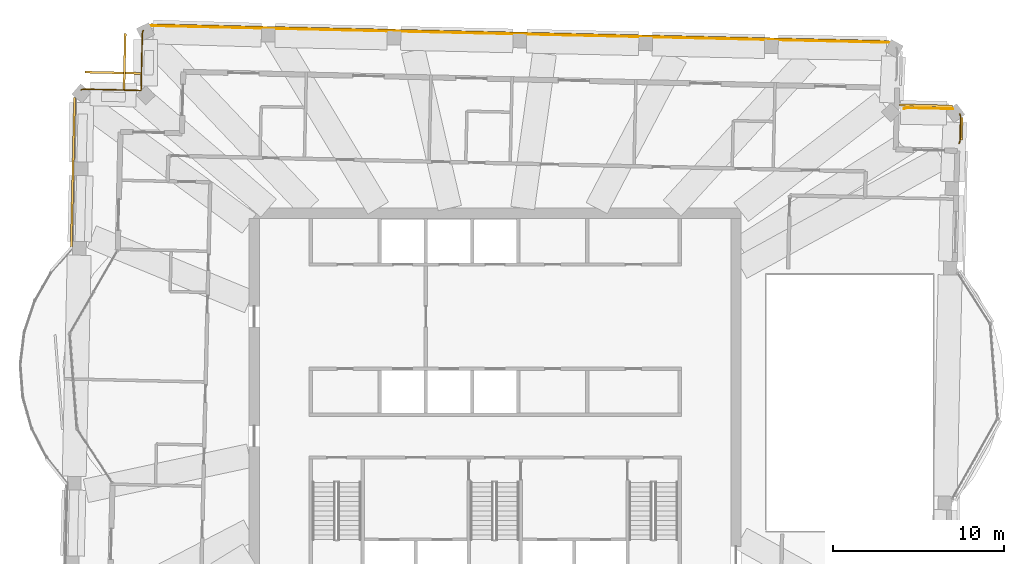
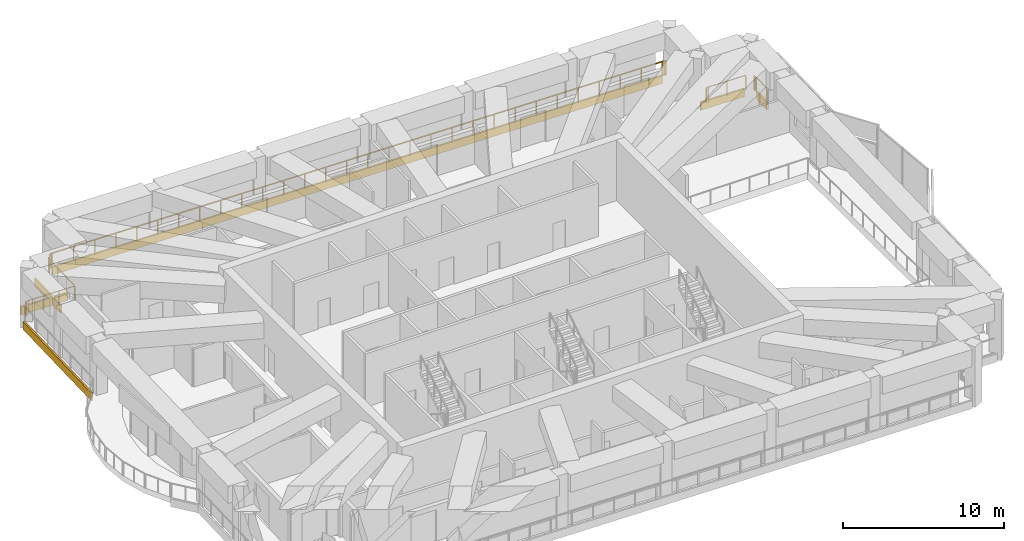
# One storey, part 18 of 19: 6 coverings, 4 railings.
"""IFC4 building model written with IfcOpenShell, lengths in metres."""

from ifc_helpers import new_model, si_unit, direction, frame, frame_2d, origin, origin_2d, place, context, subcontext, project, spatial, rectangle, extrude, material, layer, layer_set, type_object, element, save


model = new_model("IFC4")

# Units and contexts
model_context = context("Model", 3, precision=1e-05, world=origin(), true_north=direction((0.0, 1.0)))
body_context = subcontext(model_context, "Body", "Model", "MODEL_VIEW")
ifc_project = project(units=[si_unit("LENGTHUNIT", "METRE"), si_unit("AREAUNIT", "SQUARE_METRE"), si_unit("VOLUMEUNIT", "CUBIC_METRE"), si_unit("PLANEANGLEUNIT", "RADIAN"), si_unit("MASSUNIT", "GRAM", prefix="KILO")], contexts=[model_context])

# Site, building, storey
site_placement = place(None, origin())
site = spatial("IfcSite", under=ifc_project, at=site_placement, CompositionType="ELEMENT")
building_placement = place(site_placement, origin())
building = spatial("IfcBuilding", under=site, at=building_placement, Name="Mangrove Gate Tower", CompositionType="ELEMENT")
storey_placement = place(building_placement, frame((0.0, 0.0, 346.10009765625)))
storey = spatial("IfcBuildingStorey", under=building, at=storey_placement, Name="L88", CompositionType="ELEMENT", Elevation=346.10009765625)

# Railings
ifc_material_1 = material(Name="Stainless steel grade 316 with laminated glass infill", Category="steel")
railing_type = type_object("IfcRailingType", Name="Balcony guard 1100", PredefinedType="GUARDRAIL", material=ifc_material_1)
railing_1_placement = place(storey_placement, frame((27.2041015625, 16.9169921875, 0.0)))
element("IfcRailing", 1, at=railing_1_placement, inside=storey, type_object=railing_type, Name="GUARD L88 T1.1", PredefinedType="GUARDRAIL", context=body_context, shape_type="SweptSolid", body=[
    extrude(rectangle(XDim=0.048095703125, YDim=0.048095703125, at=origin_2d()), frame((0.0, 0.0, 1.076171875), z_axis=(0.403640206576, -0.914917801573, 0.0), x_axis=(0.914917801573, 0.403640206576, 0.0)), (0.0, 0.0, 1.0), 0.027099609375),
    extrude(rectangle(XDim=0.048095703125, YDim=0.048095703125, at=origin_2d()), frame((0.010986328125, -0.02490234375, 1.076171875), z_axis=(0.319172448283, -0.947696654134, 0.0), x_axis=(0.947696654134, 0.319172448283, 0.0)), (0.0, 0.0, 1.0), 0.0498046875),
    extrude(rectangle(XDim=0.048095703125, YDim=0.048095703125, at=origin_2d()), frame((0.02685546875, -0.072021484375, 1.076171875), z_axis=(0.204751888661, -0.978813906772, 0.0), x_axis=(0.978813906772, 0.204751888661, 0.0)), (0.0, 0.0, 1.0), 0.048828125),
    extrude(rectangle(XDim=0.048095703125, YDim=0.048095703125, at=origin_2d()), frame((0.036865234375, -0.119873046875, 1.076171875), z_axis=(0.142799977478, -0.989751568037, 0.0), x_axis=(0.989751568037, 0.142799977478, 0.0)), (0.0, 0.0, 1.0), 0.049560546875),
    extrude(rectangle(XDim=0.048095703125, YDim=0.048095703125, at=origin_2d()), frame((0.0439453125, -0.1689453125, 1.076171875), z_axis=(0.019896558087, -0.999802043895, 0.0), x_axis=(0.999802043895, 0.019896558087, 0.0)), (0.0, 0.0, 1.0), 0.049072265625),
    extrude(rectangle(XDim=0.048095703125, YDim=0.048095703125, at=origin_2d()), frame((0.044921875, -0.218017578125, 1.076171875), z_axis=(-0.023109782146, -0.999732933322, 0.0), x_axis=(0.999732933322, -0.023109782146, 0.0)), (0.0, 0.0, 1.0), 1.29931640625),
    extrude(rectangle(XDim=0.048095703125, YDim=0.048095703125, at=origin_2d()), frame((0.014892578125, -1.51708984375, 1.076171875), z_axis=(-0.059892290728, -0.998204845466, 0.0), x_axis=(0.998204845466, -0.059892290728, 0.0)), (0.0, 0.0, 1.0), 0.048828125),
    extrude(rectangle(XDim=0.048095703125, YDim=0.048095703125, at=origin_2d()), frame((0.011962890625, -1.56591796875, 1.076171875), z_axis=(-0.162010149383, -0.986789091699, 0.0), x_axis=(0.986789091699, -0.162010149383, 0.0)), (0.0, 0.0, 1.0), 0.0498046875),
    extrude(rectangle(XDim=0.048095703125, YDim=0.048095703125, at=origin_2d()), frame((0.00390625, -1.614990234375, 1.076171875), z_axis=(-0.264808083684, -0.964301134924, 0.0), x_axis=(0.964301134924, -0.264808083684, 0.0)), (0.0, 0.0, 1.0), 0.048828125),
    extrude(rectangle(XDim=0.048095703125, YDim=0.048095703125, at=origin_2d()), frame((-0.009033203125, -1.662109375, 1.076171875), z_axis=(-0.366264831108, -0.930510652004, 0.0), x_axis=(0.930510652004, -0.366264831108, 0.0)), (0.0, 0.0, 1.0), 0.04931640625),
    extrude(rectangle(XDim=0.048095703125, YDim=0.048095703125, at=origin_2d()), frame((-0.027099609375, -1.7080078125, 1.076171875), z_axis=(-0.461078797779, -0.887359195726, 0.0), x_axis=(0.887359195726, -0.461078797779, 0.0)), (0.0, 0.0, 1.0), 0.028076171875),
    extrude(rectangle(XDim=0.0419921875, YDim=0.0419921875, at=origin_2d()), origin(), (0.0, 0.0, 1.0), 1.052001953125),
    extrude(rectangle(XDim=0.0419921875, YDim=0.0419921875, at=origin_2d()), frame((0.010986328125, -0.02490234375, 0.0)), (0.0, 0.0, 1.0), 1.052001953125),
    extrude(rectangle(XDim=0.0419921875, YDim=0.0419921875, at=origin_2d()), frame((0.02685546875, -0.072021484375, 0.0)), (0.0, 0.0, 1.0), 1.052001953125),
    extrude(rectangle(XDim=0.0419921875, YDim=0.0419921875, at=origin_2d()), frame((0.036865234375, -0.119873046875, 0.0)), (0.0, 0.0, 1.0), 1.052001953125),
    extrude(rectangle(XDim=0.0419921875, YDim=0.0419921875, at=origin_2d()), frame((0.0439453125, -0.1689453125, 0.0)), (0.0, 0.0, 1.0), 1.052001953125),
    extrude(rectangle(XDim=0.0419921875, YDim=0.0419921875, at=origin_2d()), frame((0.044921875, -0.218017578125, 0.0)), (0.0, 0.0, 1.0), 1.052001953125),
    extrude(rectangle(XDim=0.0419921875, YDim=0.0419921875, at=origin_2d()), frame((0.014892578125, -1.51708984375, 0.0)), (0.0, 0.0, 1.0), 1.052001953125),
    extrude(rectangle(XDim=0.0419921875, YDim=0.0419921875, at=origin_2d()), frame((0.011962890625, -1.56591796875, 0.0)), (0.0, 0.0, 1.0), 1.052001953125),
    extrude(rectangle(XDim=0.0419921875, YDim=0.0419921875, at=origin_2d()), frame((0.00390625, -1.614990234375, 0.0)), (0.0, 0.0, 1.0), 1.052001953125),
    extrude(rectangle(XDim=0.0419921875, YDim=0.0419921875, at=origin_2d()), frame((-0.009033203125, -1.662109375, 0.0)), (0.0, 0.0, 1.0), 1.052001953125),
    extrude(rectangle(XDim=0.0419921875, YDim=0.0419921875, at=origin_2d()), frame((-0.027099609375, -1.7080078125, 0.0)), (0.0, 0.0, 1.0), 1.052001953125),
    extrude(rectangle(XDim=0.0419921875, YDim=0.0419921875, at=origin_2d()), frame((-0.0400390625, -1.73291015625, 0.0)), (0.0, 0.0, 1.0), 1.052001953125),
])
railing_2_placement = place(storey_placement, frame((23.943115234375, 17.22412109375, 0.0)))
element("IfcRailing", 2, at=railing_2_placement, inside=storey, type_object=railing_type, Name="GUARD L88 T1.2", PredefinedType="GUARDRAIL", context=body_context, shape_type="SweptSolid", body=[
    extrude(rectangle(XDim=0.048095703125, YDim=0.048095703125, at=origin_2d()), frame((0.0, 0.0, 1.076171875), z_axis=(0.907708589272, 0.419601140324, 0.0), x_axis=(-0.419601140324, 0.907708589272, 0.0)), (0.0, 0.0, 1.0), 0.028564453125),
    extrude(rectangle(XDim=0.048095703125, YDim=0.048095703125, at=origin_2d()), frame((0.02587890625, 0.011962890625, 1.076171875), z_axis=(0.95118268282, 0.308628423681, 0.0), x_axis=(-0.308628423681, 0.95118268282, 0.0)), (0.0, 0.0, 1.0), 0.04833984375),
    extrude(rectangle(XDim=0.048095703125, YDim=0.048095703125, at=origin_2d()), frame((0.07177734375, 0.02685546875, 1.076171875), z_axis=(0.974889210585, 0.222690428814, 0.0), x_axis=(-0.222690428814, 0.974889210585, 0.0)), (0.0, 0.0, 1.0), 0.04931640625),
    extrude(rectangle(XDim=0.048095703125, YDim=0.048095703125, at=origin_2d()), frame((0.119873046875, 0.037841796875, 1.076171875), z_axis=(0.992353645783, 0.123427070371, 0.0), x_axis=(-0.123427070371, 0.992353645783, 0.0)), (0.0, 0.0, 1.0), 0.049560546875),
    extrude(rectangle(XDim=0.048095703125, YDim=0.048095703125, at=origin_2d()), frame((0.1689453125, 0.0439453125, 1.076171875), z_axis=(0.999200958722, 0.039968038349, 0.0), x_axis=(-0.039968038349, 0.999200958722, 0.0)), (0.0, 0.0, 1.0), 0.048828125),
    extrude(rectangle(XDim=0.048095703125, YDim=0.048095703125, at=origin_2d()), frame((0.2177734375, 0.0458984375, 1.076171875), z_axis=(0.999741738574, -0.022725671683, 0.0), x_axis=(0.022725671683, 0.999741738574, 0.0)), (0.0, 0.0, 1.0), 2.599853515625),
    extrude(rectangle(XDim=0.048095703125, YDim=0.048095703125, at=origin_2d()), frame((2.81689453125, -0.01318359375, 1.076171875), z_axis=(0.996846739125, -0.079350984209, 0.0), x_axis=(0.079350984209, 0.996846739125, 0.0)), (0.0, 0.0, 1.0), 0.04931640625),
    extrude(rectangle(XDim=0.0419921875, YDim=0.0419921875, at=origin_2d()), origin(), (0.0, 0.0, 1.0), 1.052001953125),
    extrude(rectangle(XDim=0.0419921875, YDim=0.0419921875, at=origin_2d()), frame((0.02587890625, 0.011962890625, 0.0)), (0.0, 0.0, 1.0), 1.052001953125),
    extrude(rectangle(XDim=0.0419921875, YDim=0.0419921875, at=origin_2d()), frame((0.07177734375, 0.02685546875, 0.0)), (0.0, 0.0, 1.0), 1.052001953125),
    extrude(rectangle(XDim=0.0419921875, YDim=0.0419921875, at=origin_2d()), frame((0.119873046875, 0.037841796875, 0.0)), (0.0, 0.0, 1.0), 1.052001953125),
    extrude(rectangle(XDim=0.0419921875, YDim=0.0419921875, at=origin_2d()), frame((0.1689453125, 0.0439453125, 0.0)), (0.0, 0.0, 1.0), 1.052001953125),
    extrude(rectangle(XDim=0.0419921875, YDim=0.0419921875, at=origin_2d()), frame((0.2177734375, 0.0458984375, 0.0)), (0.0, 0.0, 1.0), 1.052001953125),
    extrude(rectangle(XDim=0.0419921875, YDim=0.0419921875, at=origin_2d()), frame((1.517333984375, 0.016357421875, 0.0)), (0.0, 0.0, 1.0), 1.052001953125),
    extrude(rectangle(XDim=0.0419921875, YDim=0.0419921875, at=origin_2d()), frame((2.81689453125, -0.01318359375, 0.0)), (0.0, 0.0, 1.0), 1.052001953125),
    extrude(rectangle(XDim=0.0419921875, YDim=0.0419921875, at=origin_2d()), frame((2.865966796875, -0.01708984375, 0.0)), (0.0, 0.0, 1.0), 1.052001953125),
])
railing_3_placement = place(storey_placement, frame((-24.243896484375, 18.318115234375, 0.0)))
element("IfcRailing", 3, at=railing_3_placement, inside=storey, type_object=railing_type, Name="GUARD L88 T3.2", PredefinedType="GUARDRAIL", context=body_context, shape_type="SweptSolid", body=[
    extrude(rectangle(XDim=0.048095703125, YDim=0.048095703125, at=origin_2d()), frame((0.0, 0.0, 1.076171875), z_axis=(0.914917801573, 0.403640206576, 0.0), x_axis=(-0.403640206576, 0.914917801573, 0.0)), (0.0, 0.0, 1.0), 0.027099609375),
    extrude(rectangle(XDim=0.048095703125, YDim=0.048095703125, at=origin_2d()), frame((0.02490234375, 0.010986328125, 1.076171875), z_axis=(0.947192919233, 0.320664269532, 0.0), x_axis=(-0.320664269532, 0.947192919233, 0.0)), (0.0, 0.0, 1.0), 0.049560546875),
    extrude(rectangle(XDim=0.048095703125, YDim=0.048095703125, at=origin_2d()), frame((0.07177734375, 0.02685546875, 1.076171875), z_axis=(0.974889210585, 0.222690428814, 0.0), x_axis=(-0.222690428814, 0.974889210585, 0.0)), (0.0, 0.0, 1.0), 0.04931640625),
    extrude(rectangle(XDim=0.048095703125, YDim=0.048095703125, at=origin_2d()), frame((0.119873046875, 0.037841796875, 1.076171875), z_axis=(0.992043715201, 0.125893872487, 0.0), x_axis=(-0.125893872487, 0.992043715201, 0.0)), (0.0, 0.0, 1.0), 0.048583984375),
    extrude(rectangle(XDim=0.048095703125, YDim=0.048095703125, at=origin_2d()), frame((0.16796875, 0.0439453125, 1.076171875), z_axis=(0.99980005998, 0.0199960012, 0.0), x_axis=(-0.0199960012, 0.99980005998, 0.0)), (0.0, 0.0, 1.0), 0.048828125),
    extrude(rectangle(XDim=0.048095703125, YDim=0.048095703125, at=origin_2d()), frame((0.216796875, 0.044921875, 1.076171875), z_axis=(0.999746870867, -0.022498759794, 0.0), x_axis=(0.022498759794, 0.999746870867, 0.0)), (0.0, 0.0, 1.0), 3.287841796875),
    extrude(rectangle(XDim=0.048095703125, YDim=0.048095703125, at=origin_2d()), frame((3.50390625, -0.029052734375, 1.076171875), z_axis=(1.0, 0.0, 0.0), x_axis=(0.0, 1.0, 0.0)), (0.0, 0.0, 1.0), 0.011962890625),
    extrude(rectangle(XDim=0.048095703125, YDim=0.048095703125, at=origin_2d()), frame((3.515869140625, -0.029052734375, 1.076171875), z_axis=(0.081362009455, 0.996684615823, 0.0), x_axis=(-0.996684615823, 0.081362009455, 0.0)), (0.0, 0.0, 1.0), 0.011962890625),
    extrude(rectangle(XDim=0.048095703125, YDim=0.048095703125, at=origin_2d()), frame((3.516845703125, -0.01708984375, 1.076171875), z_axis=(0.02250711382, 0.999746682829, 0.0), x_axis=(-0.999746682829, 0.02250711382, 0.0)), (0.0, 0.0, 1.0), 3.28662109375),
    extrude(rectangle(XDim=0.048095703125, YDim=0.048095703125, at=origin_2d()), frame((3.5908203125, 3.268798828125, 1.076171875), z_axis=(0.084276225487, 0.996442430759, 0.0), x_axis=(-0.996442430759, 0.084276225487, 0.0)), (0.0, 0.0, 1.0), 0.04931640625),
    extrude(rectangle(XDim=0.048095703125, YDim=0.048095703125, at=origin_2d()), frame((3.594970703125, 3.31787109375, 1.076171875), z_axis=(0.157223956062, 0.987562974012, 0.0), x_axis=(-0.987562974012, 0.157223956062, 0.0)), (0.0, 0.0, 1.0), 0.0498046875),
    extrude(rectangle(XDim=0.048095703125, YDim=0.048095703125, at=origin_2d()), frame((3.602783203125, 3.366943359375, 1.076171875), z_axis=(0.270745576918, 0.962650940154, 0.0), x_axis=(-0.962650940154, 0.270745576918, 0.0)), (0.0, 0.0, 1.0), 0.048583984375),
    extrude(rectangle(XDim=0.048095703125, YDim=0.048095703125, at=origin_2d()), frame((3.615966796875, 3.413818359375, 1.076171875), z_axis=(0.360301673574, 0.932835839802, 0.0), x_axis=(-0.932835839802, 0.360301673574, 0.0)), (0.0, 0.0, 1.0), 0.049560546875),
    extrude(rectangle(XDim=0.048095703125, YDim=0.048095703125, at=origin_2d()), frame((3.6337890625, 3.4599609375, 1.076171875), z_axis=(0.440157217023, 0.897920722727, 0.0), x_axis=(-0.897920722727, 0.440157217023, 0.0)), (0.0, 0.0, 1.0), 0.02783203125),
    extrude(rectangle(XDim=0.0419921875, YDim=0.0419921875, at=origin_2d()), origin(), (0.0, 0.0, 1.0), 1.052001953125),
    extrude(rectangle(XDim=0.0419921875, YDim=0.0419921875, at=origin_2d()), frame((0.02490234375, 0.010986328125, 0.0)), (0.0, 0.0, 1.0), 1.052001953125),
    extrude(rectangle(XDim=0.0419921875, YDim=0.0419921875, at=origin_2d()), frame((0.07177734375, 0.02685546875, 0.0)), (0.0, 0.0, 1.0), 1.052001953125),
    extrude(rectangle(XDim=0.0419921875, YDim=0.0419921875, at=origin_2d()), frame((0.119873046875, 0.037841796875, 0.0)), (0.0, 0.0, 1.0), 1.052001953125),
    extrude(rectangle(XDim=0.0419921875, YDim=0.0419921875, at=origin_2d()), frame((0.16796875, 0.0439453125, 0.0)), (0.0, 0.0, 1.0), 1.052001953125),
    extrude(rectangle(XDim=0.0419921875, YDim=0.0419921875, at=origin_2d()), frame((0.216796875, 0.044921875, 0.0)), (0.0, 0.0, 1.0), 1.052001953125),
    extrude(rectangle(XDim=0.0419921875, YDim=0.0419921875, at=origin_2d()), frame((1.3125, 0.020263671875, 0.0)), (0.0, 0.0, 1.0), 1.052001953125),
    extrude(rectangle(XDim=0.0419921875, YDim=0.0419921875, at=origin_2d()), frame((2.408203125, -0.00439453125, 0.0)), (0.0, 0.0, 1.0), 1.052001953125),
    extrude(rectangle(XDim=0.0419921875, YDim=0.0419921875, at=origin_2d()), frame((3.50390625, -0.029052734375, 0.0)), (0.0, 0.0, 1.0), 1.052001953125),
    extrude(rectangle(XDim=0.0419921875, YDim=0.0419921875, at=origin_2d()), frame((3.515869140625, -0.029052734375, 0.0)), (0.0, 0.0, 1.0), 1.052001953125),
    extrude(rectangle(XDim=0.0419921875, YDim=0.0419921875, at=origin_2d()), frame((3.516845703125, -0.01708984375, 0.0)), (0.0, 0.0, 1.0), 1.052001953125),
    extrude(rectangle(XDim=0.0419921875, YDim=0.0419921875, at=origin_2d()), frame((3.54150390625, 1.078125, 0.0)), (0.0, 0.0, 1.0), 1.052001953125),
    extrude(rectangle(XDim=0.0419921875, YDim=0.0419921875, at=origin_2d()), frame((3.566162109375, 2.173583984375, 0.0)), (0.0, 0.0, 1.0), 1.052001953125),
    extrude(rectangle(XDim=0.0419921875, YDim=0.0419921875, at=origin_2d()), frame((3.5908203125, 3.268798828125, 0.0)), (0.0, 0.0, 1.0), 1.052001953125),
    extrude(rectangle(XDim=0.0419921875, YDim=0.0419921875, at=origin_2d()), frame((3.594970703125, 3.31787109375, 0.0)), (0.0, 0.0, 1.0), 1.052001953125),
    extrude(rectangle(XDim=0.0419921875, YDim=0.0419921875, at=origin_2d()), frame((3.602783203125, 3.366943359375, 0.0)), (0.0, 0.0, 1.0), 1.052001953125),
    extrude(rectangle(XDim=0.0419921875, YDim=0.0419921875, at=origin_2d()), frame((3.615966796875, 3.413818359375, 0.0)), (0.0, 0.0, 1.0), 1.052001953125),
    extrude(rectangle(XDim=0.0419921875, YDim=0.0419921875, at=origin_2d()), frame((3.6337890625, 3.4599609375, 0.0)), (0.0, 0.0, 1.0), 1.052001953125),
    extrude(rectangle(XDim=0.0419921875, YDim=0.0419921875, at=origin_2d()), frame((3.64599609375, 3.48486328125, 0.0)), (0.0, 0.0, 1.0), 1.052001953125),
])
railing_4_placement = place(storey_placement, frame((-20.35888671875, 22.031005859375, 0.0)))
element("IfcRailing", 4, at=railing_4_placement, inside=storey, type_object=railing_type, Name="GUARD L88 T3.3", PredefinedType="GUARDRAIL", context=body_context, shape_type="SweptSolid", body=[
    extrude(rectangle(XDim=0.048095703125, YDim=0.048095703125, at=origin_2d()), frame((0.0, 0.0, 1.076171875), z_axis=(0.914917801573, 0.403640206576, 0.0), x_axis=(-0.403640206576, 0.914917801573, 0.0)), (0.0, 0.0, 1.0), 0.027099609375),
    extrude(rectangle(XDim=0.048095703125, YDim=0.048095703125, at=origin_2d()), frame((0.02490234375, 0.010986328125, 1.076171875), z_axis=(0.945686599305, 0.325079768511, 0.0), x_axis=(-0.325079768511, 0.945686599305, 0.0)), (0.0, 0.0, 1.0), 0.049560546875),
    extrude(rectangle(XDim=0.048095703125, YDim=0.048095703125, at=origin_2d()), frame((0.07177734375, 0.027099609375, 1.076171875), z_axis=(0.974889210585, 0.222690428814, 0.0), x_axis=(-0.222690428814, 0.974889210585, 0.0)), (0.0, 0.0, 1.0), 0.04931640625),
    extrude(rectangle(XDim=0.048095703125, YDim=0.048095703125, at=origin_2d()), frame((0.119873046875, 0.0380859375, 1.076171875), z_axis=(0.992946793169, 0.118560811125, 0.0), x_axis=(-0.118560811125, 0.992946793169, 0.0)), (0.0, 0.0, 1.0), 0.04931640625),
    extrude(rectangle(XDim=0.048095703125, YDim=0.048095703125, at=origin_2d()), frame((0.1689453125, 0.0439453125, 1.076171875), z_axis=(0.99980005998, 0.0199960012, 0.0), x_axis=(-0.0199960012, 0.99980005998, 0.0)), (0.0, 0.0, 1.0), 0.048828125),
    extrude(rectangle(XDim=0.048095703125, YDim=0.048095703125, at=origin_2d()), frame((0.2177734375, 0.044921875, 1.076171875), z_axis=(0.999742672213, -0.022684562084, 0.0), x_axis=(0.022684562084, 0.999742672213, 0.0)), (0.0, 0.0, 1.0), 43.200439453125),
    extrude(rectangle(XDim=0.048095703125, YDim=0.048095703125, at=origin_2d()), frame((43.406982421875, -0.93505859375, 1.076171875), z_axis=(0.996684615823, -0.081362009455, 0.0), x_axis=(0.081362009455, 0.996684615823, 0.0)), (0.0, 0.0, 1.0), 0.048095703125),
    extrude(rectangle(XDim=0.048095703125, YDim=0.048095703125, at=origin_2d()), frame((43.454833984375, -0.93896484375, 1.076171875), z_axis=(0.986789091699, -0.162010149383, 0.0), x_axis=(0.162010149383, 0.986789091699, 0.0)), (0.0, 0.0, 1.0), 0.0498046875),
    extrude(rectangle(XDim=0.048095703125, YDim=0.048095703125, at=origin_2d()), frame((43.50390625, -0.947021484375, 1.076171875), z_axis=(0.963948224108, -0.266089874363, 0.0), x_axis=(0.266089874363, 0.963948224108, 0.0)), (0.0, 0.0, 1.0), 0.048583984375),
    extrude(rectangle(XDim=0.048095703125, YDim=0.048095703125, at=origin_2d()), frame((43.55078125, -0.9599609375, 1.076171875), z_axis=(0.931170070305, -0.364585106892, 0.0), x_axis=(0.364585106892, 0.931170070305, 0.0)), (0.0, 0.0, 1.0), 0.049560546875),
    extrude(rectangle(XDim=0.048095703125, YDim=0.048095703125, at=origin_2d()), frame((43.596923828125, -0.97802734375, 1.076171875), z_axis=(0.901385111422, -0.43301833784, 0.0), x_axis=(0.43301833784, 0.901385111422, 0.0)), (0.0, 0.0, 1.0), 0.027587890625),
    extrude(rectangle(XDim=0.0419921875, YDim=0.0419921875, at=origin_2d()), origin(), (0.0, 0.0, 1.0), 1.052001953125),
    extrude(rectangle(XDim=0.0419921875, YDim=0.0419921875, at=origin_2d()), frame((0.02490234375, 0.010986328125, 0.0)), (0.0, 0.0, 1.0), 1.052001953125),
    extrude(rectangle(XDim=0.0419921875, YDim=0.0419921875, at=origin_2d()), frame((0.07177734375, 0.027099609375, 0.0)), (0.0, 0.0, 1.0), 1.052001953125),
    extrude(rectangle(XDim=0.0419921875, YDim=0.0419921875, at=origin_2d()), frame((0.119873046875, 0.0380859375, 0.0)), (0.0, 0.0, 1.0), 1.052001953125),
    extrude(rectangle(XDim=0.0419921875, YDim=0.0419921875, at=origin_2d()), frame((0.1689453125, 0.0439453125, 0.0)), (0.0, 0.0, 1.0), 1.052001953125),
    extrude(rectangle(XDim=0.0419921875, YDim=0.0419921875, at=origin_2d()), frame((0.2177734375, 0.044921875, 0.0)), (0.0, 0.0, 1.0), 1.052001953125),
    extrude(rectangle(XDim=0.0419921875, YDim=0.0419921875, at=origin_2d()), frame((1.70703125, 0.01123046875, 0.0)), (0.0, 0.0, 1.0), 1.052001953125),
    extrude(rectangle(XDim=0.0419921875, YDim=0.0419921875, at=origin_2d()), frame((3.1962890625, -0.022705078125, 0.0)), (0.0, 0.0, 1.0), 1.052001953125),
    extrude(rectangle(XDim=0.0419921875, YDim=0.0419921875, at=origin_2d()), frame((4.685546875, -0.056396484375, 0.0)), (0.0, 0.0, 1.0), 1.052001953125),
    extrude(rectangle(XDim=0.0419921875, YDim=0.0419921875, at=origin_2d()), frame((6.1748046875, -0.09033203125, 0.0)), (0.0, 0.0, 1.0), 1.052001953125),
    extrude(rectangle(XDim=0.0419921875, YDim=0.0419921875, at=origin_2d()), frame((7.664306640625, -0.1240234375, 0.0)), (0.0, 0.0, 1.0), 1.052001953125),
    extrude(rectangle(XDim=0.0419921875, YDim=0.0419921875, at=origin_2d()), frame((9.153564453125, -0.15771484375, 0.0)), (0.0, 0.0, 1.0), 1.052001953125),
    extrude(rectangle(XDim=0.0419921875, YDim=0.0419921875, at=origin_2d()), frame((10.642822265625, -0.191650390625, 0.0)), (0.0, 0.0, 1.0), 1.052001953125),
    extrude(rectangle(XDim=0.0419921875, YDim=0.0419921875, at=origin_2d()), frame((12.132080078125, -0.225341796875, 0.0)), (0.0, 0.0, 1.0), 1.052001953125),
    extrude(rectangle(XDim=0.0419921875, YDim=0.0419921875, at=origin_2d()), frame((13.621337890625, -0.25927734375, 0.0)), (0.0, 0.0, 1.0), 1.052001953125),
    extrude(rectangle(XDim=0.0419921875, YDim=0.0419921875, at=origin_2d()), frame((15.110595703125, -0.29296875, 0.0)), (0.0, 0.0, 1.0), 1.052001953125),
    extrude(rectangle(XDim=0.0419921875, YDim=0.0419921875, at=origin_2d()), frame((16.599853515625, -0.326904296875, 0.0)), (0.0, 0.0, 1.0), 1.052001953125),
    extrude(rectangle(XDim=0.0419921875, YDim=0.0419921875, at=origin_2d()), frame((18.089111328125, -0.360595703125, 0.0)), (0.0, 0.0, 1.0), 1.052001953125),
    extrude(rectangle(XDim=0.0419921875, YDim=0.0419921875, at=origin_2d()), frame((19.578369140625, -0.394287109375, 0.0)), (0.0, 0.0, 1.0), 1.052001953125),
    extrude(rectangle(XDim=0.0419921875, YDim=0.0419921875, at=origin_2d()), frame((21.067626953125, -0.42822265625, 0.0)), (0.0, 0.0, 1.0), 1.052001953125),
    extrude(rectangle(XDim=0.0419921875, YDim=0.0419921875, at=origin_2d()), frame((22.55712890625, -0.4619140625, 0.0)), (0.0, 0.0, 1.0), 1.052001953125),
    extrude(rectangle(XDim=0.0419921875, YDim=0.0419921875, at=origin_2d()), frame((24.04638671875, -0.495849609375, 0.0)), (0.0, 0.0, 1.0), 1.052001953125),
    extrude(rectangle(XDim=0.0419921875, YDim=0.0419921875, at=origin_2d()), frame((25.53564453125, -0.529541015625, 0.0)), (0.0, 0.0, 1.0), 1.052001953125),
    extrude(rectangle(XDim=0.0419921875, YDim=0.0419921875, at=origin_2d()), frame((27.02490234375, -0.563232421875, 0.0)), (0.0, 0.0, 1.0), 1.052001953125),
    extrude(rectangle(XDim=0.0419921875, YDim=0.0419921875, at=origin_2d()), frame((28.51416015625, -0.59716796875, 0.0)), (0.0, 0.0, 1.0), 1.052001953125),
    extrude(rectangle(XDim=0.0419921875, YDim=0.0419921875, at=origin_2d()), frame((30.00341796875, -0.630859375, 0.0)), (0.0, 0.0, 1.0), 1.052001953125),
    extrude(rectangle(XDim=0.0419921875, YDim=0.0419921875, at=origin_2d()), frame((31.49267578125, -0.664794921875, 0.0)), (0.0, 0.0, 1.0), 1.052001953125),
    extrude(rectangle(XDim=0.0419921875, YDim=0.0419921875, at=origin_2d()), frame((32.98193359375, -0.698486328125, 0.0)), (0.0, 0.0, 1.0), 1.052001953125),
    extrude(rectangle(XDim=0.0419921875, YDim=0.0419921875, at=origin_2d()), frame((34.47119140625, -0.732421875, 0.0)), (0.0, 0.0, 1.0), 1.052001953125),
    extrude(rectangle(XDim=0.0419921875, YDim=0.0419921875, at=origin_2d()), frame((35.96044921875, -0.76611328125, 0.0)), (0.0, 0.0, 1.0), 1.052001953125),
    extrude(rectangle(XDim=0.0419921875, YDim=0.0419921875, at=origin_2d()), frame((37.449951171875, -0.7998046875, 0.0)), (0.0, 0.0, 1.0), 1.052001953125),
    extrude(rectangle(XDim=0.0419921875, YDim=0.0419921875, at=origin_2d()), frame((38.939208984375, -0.833740234375, 0.0)), (0.0, 0.0, 1.0), 1.052001953125),
    extrude(rectangle(XDim=0.0419921875, YDim=0.0419921875, at=origin_2d()), frame((40.428466796875, -0.867431640625, 0.0)), (0.0, 0.0, 1.0), 1.052001953125),
    extrude(rectangle(XDim=0.0419921875, YDim=0.0419921875, at=origin_2d()), frame((41.917724609375, -0.9013671875, 0.0)), (0.0, 0.0, 1.0), 1.052001953125),
    extrude(rectangle(XDim=0.0419921875, YDim=0.0419921875, at=origin_2d()), frame((43.406982421875, -0.93505859375, 0.0)), (0.0, 0.0, 1.0), 1.052001953125),
    extrude(rectangle(XDim=0.0419921875, YDim=0.0419921875, at=origin_2d()), frame((43.454833984375, -0.93896484375, 0.0)), (0.0, 0.0, 1.0), 1.052001953125),
    extrude(rectangle(XDim=0.0419921875, YDim=0.0419921875, at=origin_2d()), frame((43.50390625, -0.947021484375, 0.0)), (0.0, 0.0, 1.0), 1.052001953125),
    extrude(rectangle(XDim=0.0419921875, YDim=0.0419921875, at=origin_2d()), frame((43.55078125, -0.9599609375, 0.0)), (0.0, 0.0, 1.0), 1.052001953125),
    extrude(rectangle(XDim=0.0419921875, YDim=0.0419921875, at=origin_2d()), frame((43.596923828125, -0.97802734375, 0.0)), (0.0, 0.0, 1.0), 1.052001953125),
    extrude(rectangle(XDim=0.0419921875, YDim=0.0419921875, at=origin_2d()), frame((43.621826171875, -0.989990234375, 0.0)), (0.0, 0.0, 1.0), 1.052001953125),
])

# Coverings
ifc_material_2 = material(Name="Limestone", Category="masonry")
ifc_layer_1 = layer(ifc_material_2, 0.0400390625, Name="Limestone cladding")
ifc_material_3 = material(Name="Stainless steel anchors and cavity", Category="steel")
ifc_layer_2 = layer(ifc_material_3, 0.080078125, Name="Fixing cavity")
ifc_layer_set = layer_set([ifc_layer_1, ifc_layer_2], Name="Joint fascia cladding 120")
covering_type = type_object("IfcCoveringType", Name="Joint fascia cladding 120", PredefinedType="CLADDING", material=ifc_layer_set)
covering_1_placement = place(storey_placement, frame((27.326904296875, 16.697998046875, -0.60009765625), z_axis=(0.0, 0.0, 1.0), x_axis=(-0.022154185686, -0.999754565909, 0.0)))
element("IfcCovering", 5, at=covering_1_placement, inside=storey, type_object=covering_type, Name="STONE FASCIA L88 Tcrown11-1.1", PredefinedType="CLADDING", context=body_context, shape_type="SweptSolid", body=[
    extrude(rectangle(XDim=1.30029296875, YDim=0.1201171875, at=frame_2d((0.650146484375, 0.0))), origin(), (0.0, 0.0, 1.0), 0.60009765625),
])
covering_2_placement = place(storey_placement, frame((23.664794921875, 17.443359375, -0.60009765625), z_axis=(0.0, 0.0, 1.0), x_axis=(0.999742729275, -0.022682047111, 0.0)))
element("IfcCovering", 6, at=covering_2_placement, inside=storey, type_object=covering_type, Name="STONE FASCIA L88 Tcrown11-2.1", PredefinedType="CLADDING", context=body_context, shape_type="SweptSolid", body=[
    extrude(rectangle(XDim=3.099853515625, YDim=0.1201171875, at=frame_2d((1.5498046875, 0.0))), origin(), (0.0, 0.0, 1.0), 0.60009765625),
])
covering_3_placement = place(storey_placement, frame((-24.81591796875, 9.06591796875, -0.60009765625), z_axis=(0.0, 0.0, 1.0), x_axis=(0.022689939273, 0.999742550188, 0.0)))
element("IfcCovering", 7, at=covering_3_placement, inside=storey, type_object=covering_type, Name="STONE FASCIA L88 Tcrown13-1.3", PredefinedType="CLADDING", context=body_context, shape_type="SweptSolid", body=[
    extrude(rectangle(XDim=8.812255859375, YDim=0.1201171875, at=frame_2d((4.40625, 0.0))), origin(), (0.0, 0.0, 1.0), 0.60009765625),
])
covering_4_placement = place(storey_placement, frame((-24.00390625, 19.363037109375, -0.60009765625), z_axis=(0.0, 0.0, 1.0), x_axis=(0.999741231002, -0.022747989672, 0.0)))
element("IfcCovering", 8, at=covering_4_placement, inside=storey, type_object=covering_type, Name="STONE FASCIA L88 Tcrown13-2.1", PredefinedType="CLADDING", context=body_context, shape_type="SweptSolid", body=[
    extrude(rectangle(XDim=3.337890625, YDim=0.1201171875, at=frame_2d((1.6689453125, 0.0))), origin(), (0.0, 0.0, 1.0), 0.60009765625),
])
covering_5_placement = place(storey_placement, frame((-21.72802734375, 18.27294921875, -0.60009765625), z_axis=(0.0, 0.0, 1.0), x_axis=(0.022746326331, 0.999741268848, 0.0)))
element("IfcCovering", 9, at=covering_5_placement, inside=storey, type_object=covering_type, Name="STONE FASCIA L88 Tcrown13-2.2", PredefinedType="CLADDING", context=body_context, shape_type="SweptSolid", body=[
    extrude(rectangle(XDim=3.338134765625, YDim=0.1201171875, at=frame_2d((1.6689453125, 0.0))), origin(), (0.0, 0.0, 1.0), 0.60009765625),
])
covering_6_placement = place(storey_placement, frame((-20.139892578125, 22.136962890625, -0.60009765625), z_axis=(0.0, 0.0, 1.0), x_axis=(0.999742669305, -0.02268469025, 0.0)))
element("IfcCovering", 10, at=covering_6_placement, inside=storey, type_object=covering_type, Name="STONE FASCIA L88 Tcrown13-3.1", PredefinedType="CLADDING", context=body_context, shape_type="SweptSolid", body=[
    extrude(rectangle(XDim=43.2001953125, YDim=0.1201171875, at=frame_2d((21.60009765625, 0.0))), origin(), (0.0, 0.0, 1.0), 0.60009765625),
])

save(model, "model.ifc")
